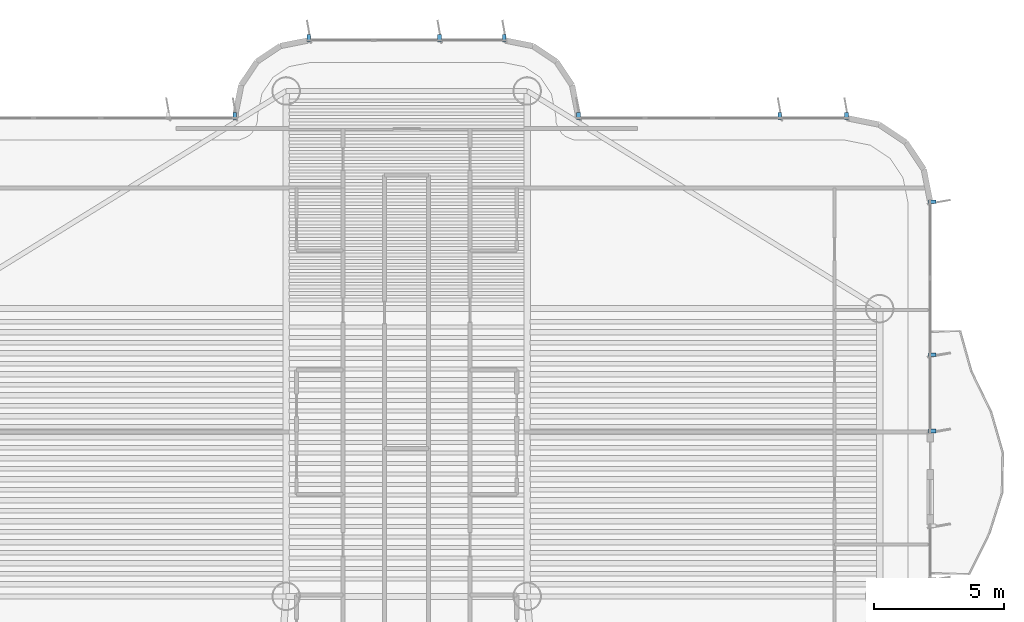
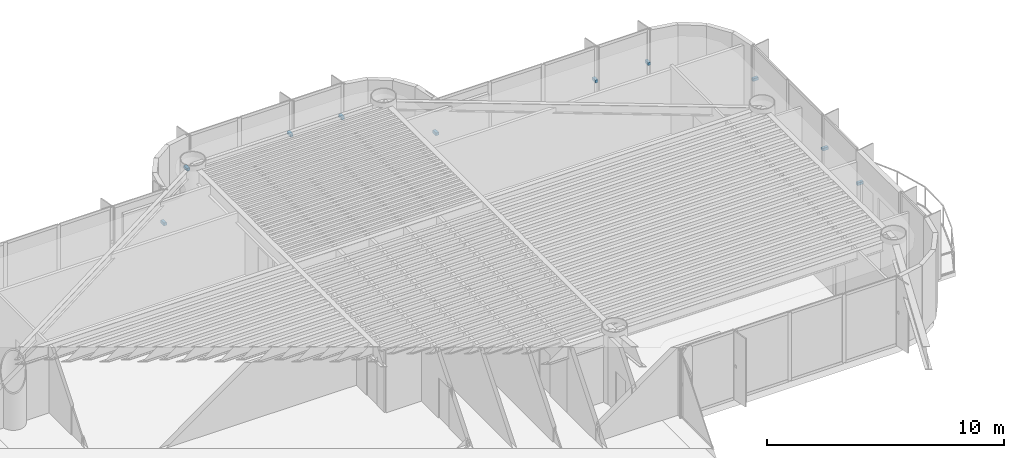
# One storey, part 13 of 15: 10 discrete accessories.
"""IFC4 building model written with IfcOpenShell, lengths in metres."""

import ifcopenshell
import ifcopenshell.guid

model = None  # the IFC model being written
_history = None  # IfcOwnerHistory: only IFC2X3 demands one
_inside = {}  # id of a spatial element -> (the spatial element, [elements in it])
_under = {}  # id of a project, library or spatial element -> (it, [spatial elements below it])
_declared = {}  # id of a project -> (the project, [libraries it declares])
_typed = {}  # id of a type object -> (the type object, [elements of that type])
_made_of = {}  # id of a material, layer set ... -> (it, [elements and type objects made of it])


def new_model(schema):
    """Start an empty IFC model of exactly this schema.

    Asked for "IFC4X3", IfcOpenShell would pick the latest addendum, in which some entities
    have other attributes; the version numbers below select the first issue.
    IFC2X3 requires an IfcOwnerHistory on every rooted entity: one is made here for all.
    """
    global model, _history
    if schema == "IFC4X3":
        model = ifcopenshell.file(schema_version=(4, 3, 0, 0))
    else:
        model = ifcopenshell.file(schema=schema)
    _inside.clear()
    _under.clear()
    _declared.clear()
    _typed.clear()
    _made_of.clear()
    _history = None
    if model.schema == "IFC2X3":
        org = make("IfcOrganization", Name="unknown")
        user = make(
            "IfcPersonAndOrganization",
            ThePerson=make("IfcPerson", FamilyName="unknown"),
            TheOrganization=org,
        )
        app = make(
            "IfcApplication",
            ApplicationDeveloper=org,
            Version="unknown",
            ApplicationFullName="unknown",
            ApplicationIdentifier="unknown",
        )
        _history = make(
            "IfcOwnerHistory",
            OwningUser=user,
            OwningApplication=app,
            ChangeAction="ADDED",
            CreationDate=0,
        )
    return model


def make(cls, **values):
    """One entity of the class cls with the attributes given. An attribute that is None is left unset."""
    return model.create_entity(
        cls, **{name: value for name, value in values.items() if value is not None}
    )


def rooted(cls, **values):
    """An entity with a GlobalId (a new one), such as an element, a storey or a relation."""
    return make(cls, GlobalId=ifcopenshell.guid.new(), OwnerHistory=_history, **values)


def si_unit(unit_type, name, prefix=None):
    """IfcSIUnit, for example si_unit("LENGTHUNIT", "METRE", prefix="MILLI")."""
    return make("IfcSIUnit", UnitType=unit_type, Prefix=prefix, Name=name)


def assignment(units):
    """IfcUnitAssignment: the units of a project."""
    return None if units is None else make("IfcUnitAssignment", Units=units)


def point(xyz):
    """IfcCartesianPoint."""
    return None if xyz is None else make("IfcCartesianPoint", Coordinates=xyz)


def direction(xyz):
    """IfcDirection."""
    return None if xyz is None else make("IfcDirection", DirectionRatios=xyz)


def frame(location, z_axis=None, x_axis=None):
    """IfcAxis2Placement3D, a coordinate frame: its origin and axes. An axis left out is left unset."""
    return make(
        "IfcAxis2Placement3D",
        Location=point(location),
        Axis=direction(z_axis),
        RefDirection=direction(x_axis),
    )


def frame_2d(location, x_axis=None):
    """IfcAxis2Placement2D, a coordinate frame in the plane: its origin and x axis."""
    return make(
        "IfcAxis2Placement2D", Location=point(location), RefDirection=direction(x_axis)
    )


def origin():
    """The frame at (0, 0, 0) with its axes left unset."""
    return frame((0.0, 0.0, 0.0))


def origin_2d():
    """The frame at (0, 0) in the plane with its x axis left unset."""
    return frame_2d((0.0, 0.0))


def place(relative_to, where):
    """IfcLocalPlacement: puts the frame where relative to a parent placement (None: the world)."""
    return make(
        "IfcLocalPlacement", PlacementRelTo=relative_to, RelativePlacement=where
    )


def context(
    kind, dimensions, precision=None, world=None, true_north=None, identifier=None
):
    """IfcGeometricRepresentationContext, for example the 3D "Model" context."""
    return make(
        "IfcGeometricRepresentationContext",
        ContextIdentifier=identifier,
        ContextType=kind,
        CoordinateSpaceDimension=dimensions,
        Precision=precision,
        WorldCoordinateSystem=world,
        TrueNorth=true_north,
    )


def subcontext(parent, identifier, kind, view, scale=None):
    """IfcGeometricRepresentationSubContext, for example "Body" below "Model"."""
    return make(
        "IfcGeometricRepresentationSubContext",
        ContextIdentifier=identifier,
        ContextType=kind,
        ParentContext=parent,
        TargetScale=scale,
        TargetView=view,
    )


def project(units=None, contexts=None):
    """IfcProject with its units and contexts."""
    return rooted(
        "IfcProject",
        Name="project",
        RepresentationContexts=contexts,
        UnitsInContext=assignment(units),
    )


def spatial(cls, under=None, at=None, **own):
    """A site, building, storey or space (cls), placed at a placement, below another one or the project."""
    s = rooted(cls, ObjectPlacement=at, **own)
    if under is not None:
        _under.setdefault(under.id(), (under, []))[1].append(s)
    return s


def profile(cls, at=None, kind="AREA", **sizes):
    """A parametric profile (cls). Its sizes go by their IFC names, for example OverallWidth=200.0."""
    return make(cls, ProfileType=kind, Position=at, **sizes)


def rectangle(**sizes):
    """IfcRectangleProfileDef."""
    return profile("IfcRectangleProfileDef", **sizes)


def extrude(swept, where, along, depth):
    """IfcExtrudedAreaSolid: the profile swept, set in the frame where, extruded along a direction by depth."""
    return make(
        "IfcExtrudedAreaSolid",
        SweptArea=swept,
        Position=where,
        ExtrudedDirection=direction(along),
        Depth=depth,
    )


def shape(context_of_items, identifier, shape_type, items):
    """IfcShapeRepresentation: the items that make up one representation, for example the "Body"."""
    return make(
        "IfcShapeRepresentation",
        ContextOfItems=context_of_items,
        RepresentationIdentifier=identifier,
        RepresentationType=shape_type,
        Items=items,
    )


def source(mapping_origin, context_of_items, identifier, shape_type, items):
    """IfcRepresentationMap: a shape defined once, which mapped items show again and again."""
    return make(
        "IfcRepresentationMap",
        MappingOrigin=mapping_origin,
        MappedRepresentation=shape(context_of_items, identifier, shape_type, items),
    )


def transform(
    local_origin,
    x_axis=None,
    y_axis=None,
    z_axis=None,
    scale=None,
    scale2=None,
    scale3=None,
    uniform=True,
):
    """IfcCartesianTransformationOperator3D, or its non-uniform kind. x_axis, y_axis, z_axis: its Axis1, 2, 3."""
    if uniform:
        return make(
            "IfcCartesianTransformationOperator3D",
            Axis1=direction(x_axis),
            Axis2=direction(y_axis),
            LocalOrigin=point(local_origin),
            Scale=scale,
            Axis3=direction(z_axis),
        )
    return make(
        "IfcCartesianTransformationOperator3DnonUniform",
        Axis1=direction(x_axis),
        Axis2=direction(y_axis),
        LocalOrigin=point(local_origin),
        Scale=scale,
        Axis3=direction(z_axis),
        Scale2=scale2,
        Scale3=scale3,
    )


def mapped(mapping_source, mapping_target):
    """IfcMappedItem: shows the shape of a source again, moved by a transform."""
    return make(
        "IfcMappedItem", MappingSource=mapping_source, MappingTarget=mapping_target
    )


def material(Name=None, Category=None):
    """IfcMaterial."""
    return make("IfcMaterial", Name=Name, Category=Category)


def made_of(thing, what):
    """Note that an element or type object is made of a material, layer set ...; save() writes the relation."""
    if what is not None:
        _made_of.setdefault(what.id(), (what, []))[1].append(thing)
    return thing


def type_object(cls, material=None, **own):
    """A type object (cls), such as IfcWallType, which elements share."""
    return made_of(rooted(cls, **own), material)


def element(
    cls,
    number,
    at=None,
    inside=None,
    cuts=None,
    type_object=None,
    material=None,
    context=None,
    identifier="Body",
    shape_type=None,
    held_by="IfcProductDefinitionShape",
    body=None,
    shapes=None,
    **own,
):
    """One element of the class cls, such as IfcWall. Its Tag is "e" and its number.

    at: its placement. inside: the storey or other place that contains it. cuts: it is an
    opening in that element (IfcRelVoidsElement). A single representation is given by context,
    identifier, shape_type and body (its items); several are given by shapes. held_by: the class
    of the entity that holds the representations. save() writes the other relations.
    """
    e = rooted(cls, Tag="e%d" % number, ObjectPlacement=at, **own)
    if body is not None:
        shapes = [shape(context, identifier, shape_type, body)]
    if shapes is not None:
        e.Representation = make(held_by, Representations=shapes)
    if inside is not None:
        _inside.setdefault(inside.id(), (inside, []))[1].append(e)
    if cuts is not None:
        rooted(
            "IfcRelVoidsElement", RelatingBuildingElement=cuts, RelatedOpeningElement=e
        )
    if type_object is not None:
        _typed.setdefault(type_object.id(), (type_object, []))[1].append(e)
    return made_of(e, material)


def aggregate(whole, parts):
    """IfcRelAggregates: a whole, such as a stair, and the parts it consists of."""
    return rooted("IfcRelAggregates", RelatingObject=whole, RelatedObjects=parts)


def save(model, path):
    """Write the relations noted so far, then the file.

    IfcRelAggregates (storeys below a building ...), IfcRelContainedInSpatialStructure (elements
    in a storey), IfcRelDefinesByType, IfcRelAssociatesMaterial and IfcRelDeclares: one each for
    every whole, place, type object, material and project.
    """
    for whole, parts in _under.values():
        aggregate(whole, parts)
    for where, things in _inside.values():
        rooted(
            "IfcRelContainedInSpatialStructure",
            RelatedElements=things,
            RelatingStructure=where,
        )
    for kind, things in _typed.values():
        rooted("IfcRelDefinesByType", RelatedObjects=things, RelatingType=kind)
    for what, things in _made_of.values():
        rooted("IfcRelAssociatesMaterial", RelatedObjects=things, RelatingMaterial=what)
    for by, libraries in _declared.values():
        rooted("IfcRelDeclares", RelatingContext=by, RelatedDefinitions=libraries)
    model.write(path)


model = new_model("IFC4")

# Units and contexts
model_context = context("Model", 3, precision=1e-05, world=origin(), true_north=direction((0.0, 1.0)))
body_context = subcontext(model_context, "Body", "Model", "MODEL_VIEW")
ifc_project = project(units=[si_unit("LENGTHUNIT", "METRE"), si_unit("AREAUNIT", "SQUARE_METRE"), si_unit("VOLUMEUNIT", "CUBIC_METRE"), si_unit("PLANEANGLEUNIT", "RADIAN"), si_unit("MASSUNIT", "GRAM", prefix="KILO")], contexts=[model_context])

# Site, building, storey
site_placement = place(None, origin())
site = spatial("IfcSite", under=ifc_project, at=site_placement, CompositionType="ELEMENT")
building_placement = place(site_placement, origin())
building = spatial("IfcBuilding", under=site, at=building_placement, Name="Brelvock Crest Care Tower", CompositionType="ELEMENT")
storey_placement = place(building_placement, frame((0.0, 0.0, 156.419921875)))
storey = spatial("IfcBuildingStorey", under=building, at=storey_placement, Name="L39", CompositionType="ELEMENT", Elevation=156.419921875)

# Discrete accessories
ifc_material = material(Name="Steel Grade 350", Category="steel")
discrete_accessory_type = type_object("IfcDiscreteAccessoryType", Name="ACC-BRK1", PredefinedType="BRACKET", material=ifc_material)
shared_shape = source(origin(), body_context, "Body", "SweptSolid", [
    extrude(rectangle(XDim=0.280029296875, YDim=0.139892578125, at=origin_2d()), origin(), (0.0, 0.0, 1.0), 0.139892578125),
])
for number, where, z_axis, x_axis, name in (
    (1, (29.3701171875, 53.47998046875, 1.6953125), (0.0, 0.0, 1.0), (0.0, 1.0, 0.0), "L39 Facade Fin Bracket E22-05"),
    (2, (32.22998046875, 56.47998046875, 1.6953125), (0.0, 0.0, 1.0), (0.0, 1.0, 0.0), "L39 Facade Fin Bracket E28-01"),
    (3, (37.2666015625, 56.47998046875, 1.6953125), (0.0, 0.0, 1.0), (0.0, 1.0, 0.0), "L39 Facade Fin Bracket E28-03"),
    (4, (39.77001953125, 56.47998046875, 1.6953125), (0.0, 0.0, 1.0), (0.0, 1.0, 0.0), "L39 Facade Fin Bracket E28-04"),
    (5, (42.6298828125, 53.47998046875, 1.6953125), (0.0, 0.0, 1.0), (0.0, 1.0, 0.0), "L39 Facade Fin Bracket E34-01"),
    (6, (50.39990234375, 53.47998046875, 1.6953125), (0.0, 0.0, 1.0), (0.0, 1.0, 0.0), "L39 Facade Fin Bracket E34-04"),
    (7, (52.969970703125, 53.47998046875, 1.6953125), (0.0, 0.0, 1.0), (0.0, 1.0, 0.0), "L39 Facade Fin Bracket E34-05"),
    (8, (56.280029296875, 50.169921875, 1.6953125), (0.0, 0.0, 1.0), (1.0, 0.0, 0.0), "L39 Facade Fin Bracket E39A-01"),
    (9, (56.280029296875, 44.2666015625, 1.6953125), (0.0, 0.0, 1.0), (1.0, 0.0, 0.0), "L39 Facade Fin Bracket E39A-03"),
    (10, (56.280029296875, 41.330078125, 1.6953125), (0.0, 0.0, 1.0), (1.0, 0.0, 0.0), "L39 Facade Fin Bracket E39A-04"),
):
    element("IfcDiscreteAccessory", number, at=place(storey_placement, frame(where, z_axis=z_axis, x_axis=x_axis)), inside=storey, type_object=discrete_accessory_type, Name=name, PredefinedType="BRACKET", context=body_context, shape_type="MappedRepresentation", body=[
        mapped(shared_shape, transform((0.0, 0.0, 0.0), x_axis=(1.0, 0.0, 0.0), y_axis=(0.0, 1.0, 0.0), z_axis=(0.0, 0.0, 1.0), scale=1.0)),
    ])

save(model, "model.ifc")
